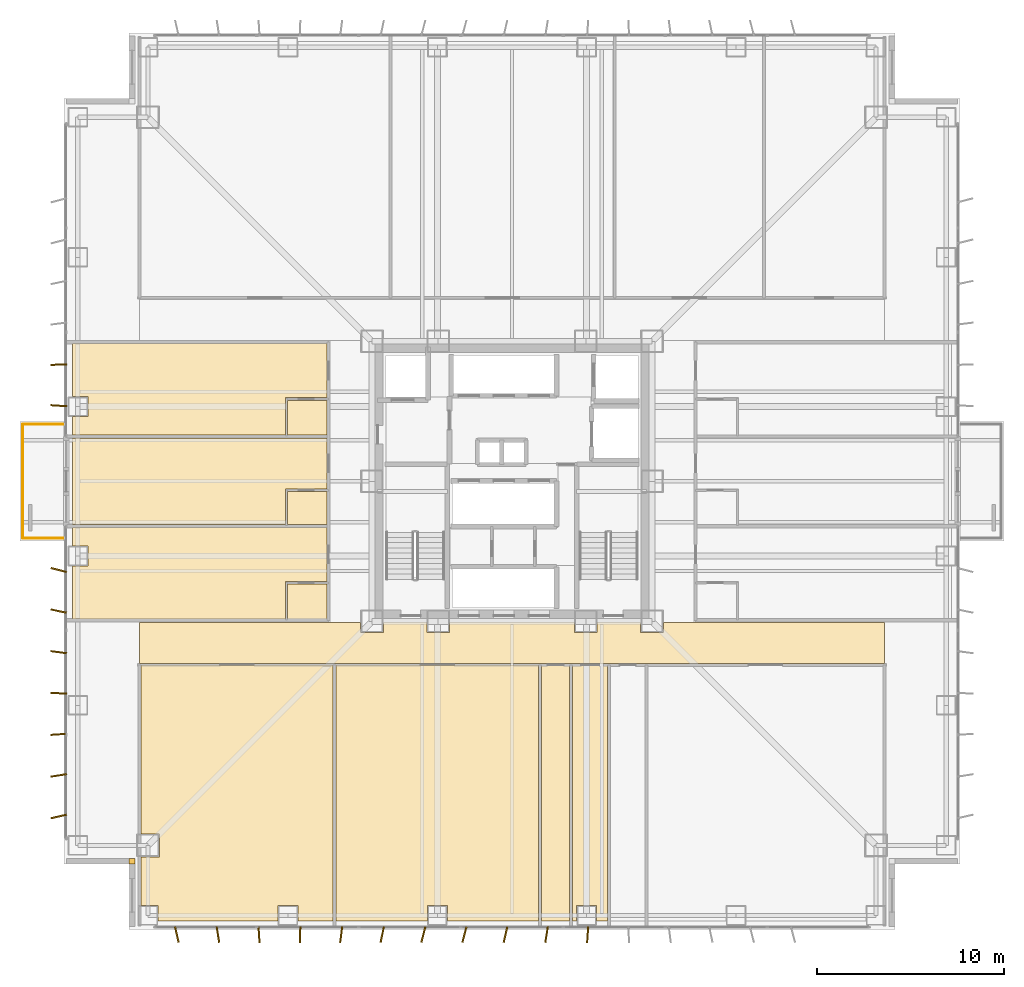
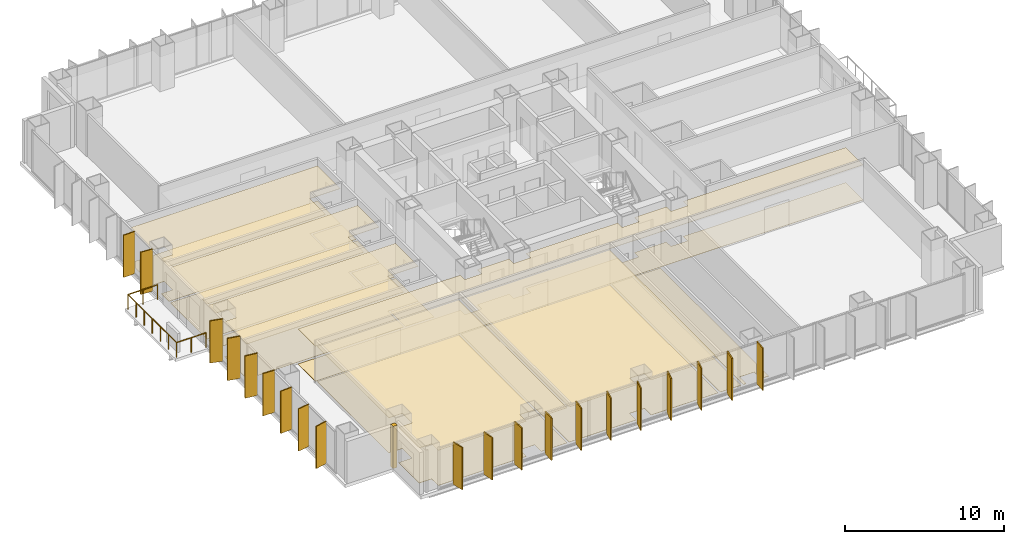
# One storey, part 14 of 16: 20 shading devices, 18 coverings, 3 railings.
"""IFC4 building model written with IfcOpenShell, lengths in metres."""

from ifc_helpers import new_model, si_unit, direction, frame, origin, origin_2d, place, context, subcontext, project, spatial, polyline, rectangle, circle, outline, extrude, material, layer, layer_set, type_object, element, save


model = new_model("IFC4")

# Units and contexts
model_context = context("Model", 3, precision=1e-05, world=origin(), true_north=direction((0.0, 1.0)))
body_context = subcontext(model_context, "Body", "Model", "MODEL_VIEW")
ifc_project = project(units=[si_unit("LENGTHUNIT", "METRE"), si_unit("AREAUNIT", "SQUARE_METRE"), si_unit("VOLUMEUNIT", "CUBIC_METRE"), si_unit("PLANEANGLEUNIT", "RADIAN"), si_unit("MASSUNIT", "GRAM", prefix="KILO")], contexts=[model_context])

# Site, building, storey
site_placement = place(None, origin())
site = spatial("IfcSite", under=ifc_project, at=site_placement, CompositionType="ELEMENT")
building_placement = place(site_placement, origin())
building = spatial("IfcBuilding", under=site, at=building_placement, Name="Trevonay Congress Spire", CompositionType="ELEMENT")
storey_placement = place(building_placement, frame((0.0, 0.0, 48.0)))
storey = spatial("IfcBuildingStorey", under=building, at=storey_placement, Name="L11", CompositionType="ELEMENT", Elevation=48.0)

# Coverings
ifc_material_1 = material(Name="Acoustic Mineral Fibre Board", Category="gypsum")
ifc_layer_1 = layer(ifc_material_1, 0.02490234375, Name="Acoustic Mineral Fibre Board")
ifc_layer_set_1 = layer_set([ifc_layer_1], Name="Acoustic Mineral Fibre Board")
covering_type_1 = type_object("IfcCoveringType", Name="COV-CEIL-ACOUSTIC", PredefinedType="CEILING", material=ifc_layer_set_1)
covering_1_placement = place(storey_placement, frame((0.0, 0.0, 2.699951171875)))
element("IfcCovering", 1, at=covering_1_placement, inside=storey, type_object=covering_type_1, Name="L11 Hotel Floor Corridor South acoustic suspended ceiling", PredefinedType="CEILING", context=body_context, shape_type="SweptSolid", body=[
    extrude(outline(polyline([(19.949951171875, -7.550048828125), (19.949951171875, -9.75), (-19.949951171875, -9.75), (-19.949951171875, -7.550048828125), (-8.110107421875, -7.550048828125), (-8.110107421875, -8.110107421875), (-6.889892578125, -8.110107421875), (-6.889892578125, -7.550048828125), (-4.56005859375, -7.550048828125), (-4.56005859375, -8.110107421875), (-3.340087890625, -8.110107421875), (-3.340087890625, -7.550048828125), (3.340087890625, -7.550048828125), (3.340087890625, -8.110107421875), (4.56005859375, -8.110107421875), (4.56005859375, -7.550048828125), (6.889892578125, -7.550048828125), (6.889892578125, -8.110107421875), (8.110107421875, -8.110107421875), (8.110107421875, -7.550048828125), (19.949951171875, -7.550048828125)])), origin(), (0.0, 0.0, 1.0), 0.025146484375),
])
covering_2_placement = place(storey_placement, frame((0.0, 0.0, 2.699951171875)))
element("IfcCovering", 2, at=covering_2_placement, inside=storey, type_object=covering_type_1, Name="L11 Thermal Hydrotherapy Spa Lounge acoustic suspended ceiling", PredefinedType="CEILING", context=body_context, shape_type="SweptSolid", body=[
    extrude(outline(polyline([(-18.965087890625, -23.550048828125), (-18.965087890625, -22.715087890625), (-19.8701171875, -22.715087890625), (-19.8701171875, -20.110107421875), (-18.889892578125, -20.110107421875), (-18.889892578125, -18.889892578125), (-19.8701171875, -18.889892578125), (-19.8701171875, -9.830078125), (-9.580078125, -9.830078125), (-9.580078125, -23.550048828125), (-11.465087890625, -23.550048828125), (-11.465087890625, -22.715087890625), (-12.534912109375, -22.715087890625), (-12.534912109375, -23.550048828125), (-18.965087890625, -23.550048828125)])), origin(), (0.0, 0.0, 1.0), 0.025146484375),
])
covering_3_placement = place(storey_placement, frame((0.0, 0.0, 2.699951171875)))
element("IfcCovering", 3, at=covering_3_placement, inside=storey, type_object=covering_type_1, Name="L11 Wellness Yoga and Pilates Lounge acoustic suspended ceiling", PredefinedType="CEILING", context=body_context, shape_type="SweptSolid", body=[
    extrude(outline(polyline([(-9.419921875, -23.550048828125), (-9.419921875, -9.830078125), (1.419921875, -9.830078125), (1.419921875, -23.550048828125), (-3.465087890625, -23.550048828125), (-3.465087890625, -22.715087890625), (-4.534912109375, -22.715087890625), (-4.534912109375, -23.550048828125), (-9.419921875, -23.550048828125)])), origin(), (0.0, 0.0, 1.0), 0.025146484375),
])
covering_4_placement = place(storey_placement, frame((0.0, 0.0, 2.699951171875)))
element("IfcCovering", 4, at=covering_4_placement, inside=storey, type_object=covering_type_1, Name="L11 Corner Hotel Suite acoustic suspended ceiling", PredefinedType="CEILING", context=body_context, shape_type="SweptSolid", body=[
    extrude(outline(polyline([(-23.550048828125, -4.534912109375), (-22.715087890625, -4.534912109375), (-22.715087890625, -3.465087890625), (-23.550048828125, -3.465087890625), (-23.550048828125, -2.47998046875), (-9.909912109375, -2.47998046875), (-9.909912109375, -5.3720703125), (-12.139892578125, -5.3720703125), (-12.139892578125, -7.3701171875), (-23.550048828125, -7.3701171875), (-23.550048828125, -4.534912109375)])), origin(), (0.0, 0.0, 1.0), 0.025146484375),
])
covering_5_placement = place(storey_placement, frame((0.0, 0.0, 2.699951171875)))
element("IfcCovering", 5, at=covering_5_placement, inside=storey, type_object=covering_type_1, Name="L11 Corner Hotel Suite acoustic suspended ceiling", PredefinedType="CEILING", context=body_context, shape_type="SweptSolid", body=[
    extrude(outline(polyline([(-23.550048828125, -2.320068359375), (-23.550048828125, 2.320068359375), (-9.909912109375, 2.320068359375), (-9.909912109375, -0.4169921875), (-12.139892578125, -0.4169921875), (-12.139892578125, -2.320068359375), (-23.550048828125, -2.320068359375)])), origin(), (0.0, 0.0, 1.0), 0.025146484375),
])
covering_6_placement = place(storey_placement, frame((0.0, 0.0, 2.699951171875)))
element("IfcCovering", 6, at=covering_6_placement, inside=storey, type_object=covering_type_1, Name="L11 Corner Hotel Suite acoustic suspended ceiling", PredefinedType="CEILING", context=body_context, shape_type="SweptSolid", body=[
    extrude(outline(polyline([(-23.550048828125, 3.465087890625), (-22.715087890625, 3.465087890625), (-22.715087890625, 4.534912109375), (-23.550048828125, 4.534912109375), (-23.550048828125, 7.3701171875), (-9.909912109375, 7.3701171875), (-9.909912109375, 4.47802734375), (-12.139892578125, 4.47802734375), (-12.139892578125, 2.47998046875), (-23.550048828125, 2.47998046875), (-23.550048828125, 3.465087890625)])), origin(), (0.0, 0.0, 1.0), 0.025146484375),
])
ifc_material_2 = material(Name="Polished Granite Floor Tile", Category="masonry")
ifc_layer_2 = layer(ifc_material_2, 0.02001953125, Name="Polished Granite Floor Tile")
ifc_layer_set_2 = layer_set([ifc_layer_2], Name="Polished Granite Floor Tile")
covering_type_2 = type_object("IfcCoveringType", Name="COV-FLOOR-STONE", PredefinedType="FLOORING", material=ifc_layer_set_2)
covering_7_placement = place(storey_placement, origin())
element("IfcCovering", 7, at=covering_7_placement, inside=storey, type_object=covering_type_2, Name="L11 Hotel Floor Corridor South floor finish", PredefinedType="FLOORING", context=body_context, shape_type="SweptSolid", body=[
    extrude(outline(polyline([(19.949951171875, -7.550048828125), (19.949951171875, -9.75), (-19.949951171875, -9.75), (-19.949951171875, -7.550048828125), (-8.110107421875, -7.550048828125), (-8.110107421875, -8.110107421875), (-6.889892578125, -8.110107421875), (-6.889892578125, -7.550048828125), (-4.56005859375, -7.550048828125), (-4.56005859375, -8.110107421875), (-3.340087890625, -8.110107421875), (-3.340087890625, -7.550048828125), (3.340087890625, -7.550048828125), (3.340087890625, -8.110107421875), (4.56005859375, -8.110107421875), (4.56005859375, -7.550048828125), (6.889892578125, -7.550048828125), (6.889892578125, -8.110107421875), (8.110107421875, -8.110107421875), (8.110107421875, -7.550048828125), (19.949951171875, -7.550048828125)])), origin(), (0.0, 0.0, 1.0), 0.02001953125),
])
covering_8_placement = place(storey_placement, origin())
element("IfcCovering", 8, at=covering_8_placement, inside=storey, type_object=covering_type_2, Name="L11 Spa Changing Restroom WC floor finish", PredefinedType="FLOORING", context=body_context, shape_type="SweptSolid", body=[
    extrude(outline(polyline([(1.580078125, -23.550048828125), (3.090087890625, -23.550048828125), (3.090087890625, -9.830078125), (1.580078125, -9.830078125), (1.580078125, -23.550048828125)])), origin(), (0.0, 0.0, 1.0), 0.02001953125),
])
covering_9_placement = place(storey_placement, origin())
element("IfcCovering", 9, at=covering_9_placement, inside=storey, type_object=covering_type_2, Name="L11 Floor Supplies and Copy Room floor finish", PredefinedType="FLOORING", context=body_context, shape_type="SweptSolid", body=[
    extrude(outline(polyline([(3.25, -23.550048828125), (3.25, -9.830078125), (5.1201171875, -9.830078125), (5.1201171875, -23.550048828125), (4.534912109375, -23.550048828125), (4.534912109375, -22.715087890625), (3.465087890625, -22.715087890625), (3.465087890625, -23.550048828125), (3.25, -23.550048828125)])), origin(), (0.0, 0.0, 1.0), 0.02001953125),
])
covering_10_placement = place(storey_placement, origin())
element("IfcCovering", 10, at=covering_10_placement, inside=storey, type_object=covering_type_2, Name="L11 En-suite Bathroom floor finish", PredefinedType="FLOORING", context=body_context, shape_type="SweptSolid", body=[
    extrude(outline(polyline([(-12.02001953125, -7.3701171875), (-9.909912109375, -7.3701171875), (-9.909912109375, -5.511962890625), (-12.02001953125, -5.511962890625), (-12.02001953125, -7.3701171875)])), origin(), (0.0, 0.0, 1.0), 0.02001953125),
])
covering_11_placement = place(storey_placement, origin())
element("IfcCovering", 11, at=covering_11_placement, inside=storey, type_object=covering_type_2, Name="L11 En-suite Bathroom floor finish", PredefinedType="FLOORING", context=body_context, shape_type="SweptSolid", body=[
    extrude(outline(polyline([(-12.02001953125, -2.320068359375), (-9.909912109375, -2.320068359375), (-9.909912109375, -0.556884765625), (-12.02001953125, -0.556884765625), (-12.02001953125, -2.320068359375)])), origin(), (0.0, 0.0, 1.0), 0.02001953125),
])
covering_12_placement = place(storey_placement, origin())
element("IfcCovering", 12, at=covering_12_placement, inside=storey, type_object=covering_type_2, Name="L11 En-suite Bathroom floor finish", PredefinedType="FLOORING", context=body_context, shape_type="SweptSolid", body=[
    extrude(outline(polyline([(-12.02001953125, 2.47998046875), (-9.909912109375, 2.47998046875), (-9.909912109375, 4.337890625), (-12.02001953125, 4.337890625), (-12.02001953125, 2.47998046875)])), origin(), (0.0, 0.0, 1.0), 0.02001953125),
])
ifc_material_3 = material(Name="Engineered Oak Flooring", Category="wood")
ifc_layer_3 = layer(ifc_material_3, 0.01806640625, Name="Engineered Oak Flooring")
ifc_layer_set_3 = layer_set([ifc_layer_3], Name="Engineered Oak Flooring")
covering_type_3 = type_object("IfcCoveringType", Name="COV-FLOOR-TIMBER", PredefinedType="FLOORING", material=ifc_layer_set_3)
covering_13_placement = place(storey_placement, origin())
element("IfcCovering", 13, at=covering_13_placement, inside=storey, type_object=covering_type_3, Name="L11 Thermal Hydrotherapy Spa Lounge floor finish", PredefinedType="FLOORING", context=body_context, shape_type="SweptSolid", body=[
    extrude(outline(polyline([(-18.965087890625, -23.550048828125), (-18.965087890625, -22.715087890625), (-19.8701171875, -22.715087890625), (-19.8701171875, -20.110107421875), (-18.889892578125, -20.110107421875), (-18.889892578125, -18.889892578125), (-19.8701171875, -18.889892578125), (-19.8701171875, -9.830078125), (-9.580078125, -9.830078125), (-9.580078125, -23.550048828125), (-11.465087890625, -23.550048828125), (-11.465087890625, -22.715087890625), (-12.534912109375, -22.715087890625), (-12.534912109375, -23.550048828125), (-18.965087890625, -23.550048828125)])), origin(), (0.0, 0.0, 1.0), 0.01806640625),
])
covering_14_placement = place(storey_placement, origin())
element("IfcCovering", 14, at=covering_14_placement, inside=storey, type_object=covering_type_3, Name="L11 Wellness Yoga and Pilates Lounge floor finish", PredefinedType="FLOORING", context=body_context, shape_type="SweptSolid", body=[
    extrude(outline(polyline([(-9.419921875, -23.550048828125), (-9.419921875, -9.830078125), (1.419921875, -9.830078125), (1.419921875, -23.550048828125), (-3.465087890625, -23.550048828125), (-3.465087890625, -22.715087890625), (-4.534912109375, -22.715087890625), (-4.534912109375, -23.550048828125), (-9.419921875, -23.550048828125)])), origin(), (0.0, 0.0, 1.0), 0.01806640625),
])
covering_15_placement = place(storey_placement, origin())
element("IfcCovering", 15, at=covering_15_placement, inside=storey, type_object=covering_type_3, Name="L11 Corner Hotel Suite floor finish", PredefinedType="FLOORING", context=body_context, shape_type="SweptSolid", body=[
    extrude(outline(polyline([(-23.550048828125, -4.534912109375), (-22.715087890625, -4.534912109375), (-22.715087890625, -3.465087890625), (-23.550048828125, -3.465087890625), (-23.550048828125, -2.47998046875), (-9.909912109375, -2.47998046875), (-9.909912109375, -5.3720703125), (-12.139892578125, -5.3720703125), (-12.139892578125, -7.3701171875), (-23.550048828125, -7.3701171875), (-23.550048828125, -4.534912109375)])), origin(), (0.0, 0.0, 1.0), 0.01806640625),
])
covering_16_placement = place(storey_placement, origin())
element("IfcCovering", 16, at=covering_16_placement, inside=storey, type_object=covering_type_3, Name="L11 Corner Hotel Suite floor finish", PredefinedType="FLOORING", context=body_context, shape_type="SweptSolid", body=[
    extrude(outline(polyline([(-23.550048828125, -2.320068359375), (-23.550048828125, 2.320068359375), (-9.909912109375, 2.320068359375), (-9.909912109375, -0.4169921875), (-12.139892578125, -0.4169921875), (-12.139892578125, -2.320068359375), (-23.550048828125, -2.320068359375)])), origin(), (0.0, 0.0, 1.0), 0.01806640625),
])
covering_17_placement = place(storey_placement, origin())
element("IfcCovering", 17, at=covering_17_placement, inside=storey, type_object=covering_type_3, Name="L11 Corner Hotel Suite floor finish", PredefinedType="FLOORING", context=body_context, shape_type="SweptSolid", body=[
    extrude(outline(polyline([(-23.550048828125, 3.465087890625), (-22.715087890625, 3.465087890625), (-22.715087890625, 4.534912109375), (-23.550048828125, 4.534912109375), (-23.550048828125, 7.3701171875), (-9.909912109375, 7.3701171875), (-9.909912109375, 4.47802734375), (-12.139892578125, 4.47802734375), (-12.139892578125, 2.47998046875), (-23.550048828125, 2.47998046875), (-23.550048828125, 3.465087890625)])), origin(), (0.0, 0.0, 1.0), 0.01806640625),
])
ifc_material_4 = material(Name="Pale Anodised Aluminium EN AW-6063-T6", Category="aluminium")
ifc_layer_4 = layer(ifc_material_4, 0.0400390625, Name="Pale Anodised Aluminium EN AW-6063-T6")
ifc_layer_set_4 = layer_set([ifc_layer_4], Name="Pale Anodised Aluminium EN AW-6063-T6")
covering_type_4 = type_object("IfcCoveringType", Name="COV-SPANDREL-PALE-METAL", PredefinedType="CLADDING", material=ifc_layer_set_4)
covering_18_placement = place(storey_placement, origin())
element("IfcCovering", 18, at=covering_18_placement, inside=storey, type_object=covering_type_4, Name="L11 SW re-entrant notch corner closure trim", PredefinedType="CLADDING", context=body_context, shape_type="SweptSolid", body=[
    extrude(outline(polyline([(-20.5, -20.5), (-20.199951171875, -20.5), (-20.199951171875, -20.199951171875), (-20.5, -20.199951171875), (-20.5, -20.5)])), origin(), (0.0, 0.0, 1.0), 3.25),
])

# Railings
railing_type = type_object("IfcRailingType", Name="RAL-EXT-GUARD-115", PredefinedType="GUARDRAIL", material=ifc_material_4)
railing_1_placement = place(storey_placement, frame((-24.050048828125, -3.050048828125, 0.0)))
element("IfcRailing", 19, at=railing_1_placement, inside=storey, type_object=railing_type, Name="L11 perimeter safety guard GRD-L11-TBAL-W-1", PredefinedType="GUARDRAIL", context=body_context, shape_type="SweptSolid", body=[
    extrude(circle(Radius=0.02392578125, at=origin_2d()), frame((0.0, 0.0, 1.1259765625), z_axis=(-1.0, 0.0, 0.0), x_axis=(0.0, -1.0, 0.0)), (0.0, 0.0, 1.0), 2.14990234375),
    extrude(circle(Radius=0.02099609375, at=origin_2d()), origin(), (0.0, 0.0, 1.0), 1.101806640625),
    extrude(circle(Radius=0.02099609375, at=origin_2d()), frame((-1.074951171875, 0.0, 0.0)), (0.0, 0.0, 1.0), 1.101806640625),
    extrude(circle(Radius=0.02099609375, at=origin_2d()), frame((-2.14990234375, 0.0, 0.0)), (0.0, 0.0, 1.0), 1.101806640625),
])
railing_2_placement = place(storey_placement, frame((-26.199951171875, -3.050048828125, 0.0)))
element("IfcRailing", 20, at=railing_2_placement, inside=storey, type_object=railing_type, Name="L11 perimeter safety guard GRD-L11-TBAL-W-2", PredefinedType="GUARDRAIL", context=body_context, shape_type="SweptSolid", body=[
    extrude(circle(Radius=0.02392578125, at=origin_2d()), frame((0.0, 0.0, 1.1259765625), z_axis=(0.0, 1.0, 0.0), x_axis=(-1.0, 0.0, 0.0)), (0.0, 0.0, 1.0), 6.10009765625),
    extrude(circle(Radius=0.02099609375, at=origin_2d()), origin(), (0.0, 0.0, 1.0), 1.101806640625),
    extrude(circle(Radius=0.02099609375, at=origin_2d()), frame((0.0, 1.0166015625, 0.0)), (0.0, 0.0, 1.0), 1.101806640625),
    extrude(circle(Radius=0.02099609375, at=origin_2d()), frame((0.0, 2.033447265625, 0.0)), (0.0, 0.0, 1.0), 1.101806640625),
    extrude(circle(Radius=0.02099609375, at=origin_2d()), frame((0.0, 3.050048828125, 0.0)), (0.0, 0.0, 1.0), 1.101806640625),
    extrude(circle(Radius=0.02099609375, at=origin_2d()), frame((0.0, 4.066650390625, 0.0)), (0.0, 0.0, 1.0), 1.101806640625),
    extrude(circle(Radius=0.02099609375, at=origin_2d()), frame((0.0, 5.08349609375, 0.0)), (0.0, 0.0, 1.0), 1.101806640625),
    extrude(circle(Radius=0.02099609375, at=origin_2d()), frame((0.0, 6.10009765625, 0.0)), (0.0, 0.0, 1.0), 1.101806640625),
])
railing_3_placement = place(storey_placement, frame((-26.199951171875, 3.050048828125, 0.0)))
element("IfcRailing", 21, at=railing_3_placement, inside=storey, type_object=railing_type, Name="L11 perimeter safety guard GRD-L11-TBAL-W-3", PredefinedType="GUARDRAIL", context=body_context, shape_type="SweptSolid", body=[
    extrude(circle(Radius=0.02392578125, at=origin_2d()), frame((0.0, 0.0, 1.1259765625), z_axis=(1.0, 0.0, 0.0), x_axis=(0.0, 1.0, 0.0)), (0.0, 0.0, 1.0), 2.14990234375),
    extrude(circle(Radius=0.02099609375, at=origin_2d()), origin(), (0.0, 0.0, 1.0), 1.101806640625),
    extrude(circle(Radius=0.02099609375, at=origin_2d()), frame((1.074951171875, 0.0, 0.0)), (0.0, 0.0, 1.0), 1.101806640625),
    extrude(circle(Radius=0.02099609375, at=origin_2d()), frame((2.14990234375, 0.0, 0.0)), (0.0, 0.0, 1.0), 1.101806640625),
])

# Shading devices
shading_device_type = type_object("IfcShadingDeviceType", Name="SHD-FIN-Z1-PALE-METAL", PredefinedType="USERDEFINED", material=ifc_material_4)
for number, where, z_axis, x_axis, name in (
    (22, (-17.949951171875, -24.280029296875, 0.0), (0.0, 0.0, 1.0), (0.97440931131, 0.224780991261, 0.0), "L11 S vertical pale-metal solar fin 1"),
    (23, (-15.75, -24.280029296875, 0.0), (0.0, 0.0, 1.0), (0.987330860032, 0.158675054211, 0.0), "L11 S vertical pale-metal solar fin 2"),
    (24, (-13.550048828125, -24.280029296875, 0.0), (0.0, 0.0, 1.0), (0.997707959868, 0.067667029017, 0.0), "L11 S vertical pale-metal solar fin 3"),
    (25, (-11.35009765625, -24.280029296875, 0.0), (0.0, 0.0, 1.0), (0.999414947917, -0.034201781837, 0.0), "L11 S vertical pale-metal solar fin 4"),
    (26, (-9.14990234375, -24.280029296875, 0.0), (0.0, 0.0, 1.0), (0.991444861374, -0.13052619222, 0.0), "L11 S vertical pale-metal solar fin 5"),
    (27, (-6.949951171875, -24.280029296875, 0.0), (0.0, 0.0, 1.0), (0.978508985102, -0.206204185397, 0.0), "L11 S vertical pale-metal solar fin 6"),
    (28, (-4.75, -24.280029296875, 0.0), (0.0, 0.0, 1.0), (0.968191325187, -0.250211026602, 0.0), "L11 S vertical pale-metal solar fin 7"),
    (29, (-2.550048828125, -24.280029296875, 0.0), (0.0, 0.0, 1.0), (0.966510581262, -0.256626764599, 0.0), "L11 S vertical pale-metal solar fin 8"),
    (30, (-0.35009765625, -24.280029296875, 0.0), (0.0, 0.0, 1.0), (0.97440931131, -0.224780991261, 0.0), "L11 S vertical pale-metal solar fin 9"),
    (31, (1.85009765625, -24.280029296875, 0.0), (0.0, 0.0, 1.0), (0.987330860032, -0.158675054211, 0.0), "L11 S vertical pale-metal solar fin 10"),
    (32, (4.050048828125, -24.280029296875, 0.0), (0.0, 0.0, 1.0), (0.997707959868, -0.067667029017, 0.0), "L11 S vertical pale-metal solar fin 11"),
    (33, (-24.280029296875, -17.949951171875, 0.0), (0.0, 0.0, 1.0), (-0.224780991261, 0.97440931131, 0.0), "L11 W vertical pale-metal solar fin 1"),
    (34, (-24.280029296875, -15.75, 0.0), (0.0, 0.0, 1.0), (-0.158675054211, 0.987330860032, 0.0), "L11 W vertical pale-metal solar fin 2"),
    (35, (-24.280029296875, -13.550048828125, 0.0), (0.0, 0.0, 1.0), (-0.067667029017, 0.997707959868, 0.0), "L11 W vertical pale-metal solar fin 3"),
    (36, (-24.280029296875, -11.35009765625, 0.0), (0.0, 0.0, 1.0), (0.034201781837, 0.999414947917, 0.0), "L11 W vertical pale-metal solar fin 4"),
    (37, (-24.280029296875, -9.14990234375, 0.0), (0.0, 0.0, 1.0), (0.13052619222, 0.991444861374, 0.0), "L11 W vertical pale-metal solar fin 5"),
    (38, (-24.280029296875, -6.949951171875, 0.0), (0.0, 0.0, 1.0), (0.206204185397, 0.978508985102, 0.0), "L11 W vertical pale-metal solar fin 6"),
    (39, (-24.280029296875, -4.75, 0.0), (0.0, 0.0, 1.0), (0.250211026602, 0.968191325187, 0.0), "L11 W vertical pale-metal solar fin 7"),
    (40, (-24.280029296875, 4.050048828125, 0.0), (0.0, 0.0, 1.0), (0.067667029017, 0.997707959868, 0.0), "L11 W vertical pale-metal solar fin 11"),
    (41, (-24.280029296875, 6.25, 0.0), (0.0, 0.0, 1.0), (-0.034201781837, 0.999414947917, 0.0), "L11 W vertical pale-metal solar fin 12"),
):
    element("IfcShadingDevice", number, at=place(storey_placement, frame(where, z_axis=z_axis, x_axis=x_axis)), inside=storey, type_object=shading_device_type, Name=name, ObjectType="SOLAR FIN", PredefinedType="USERDEFINED", context=body_context, shape_type="SweptSolid", body=[
        extrude(rectangle(XDim=0.080078125, YDim=0.85009765625, at=origin_2d()), origin(), (0.0, 0.0, 1.0), 3.25),
    ])

save(model, "model.ifc")
